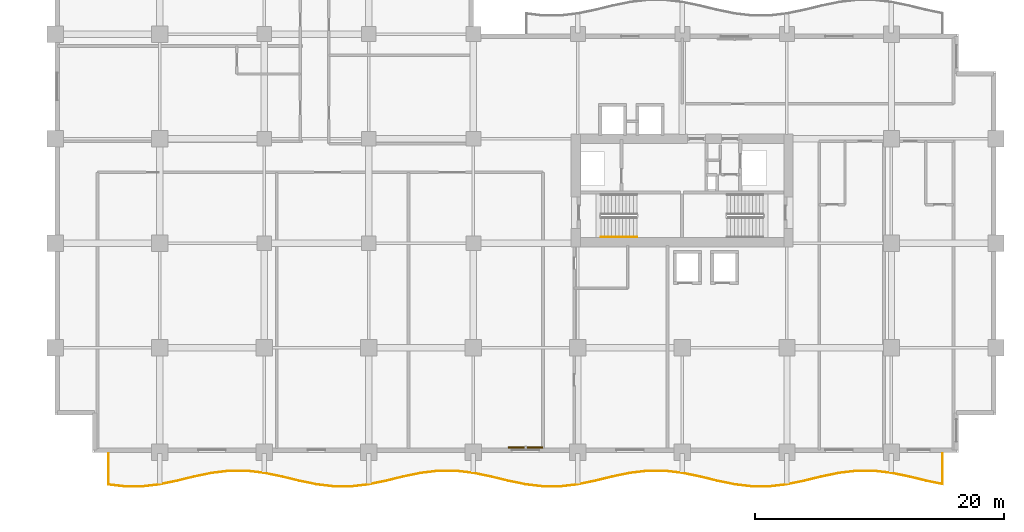
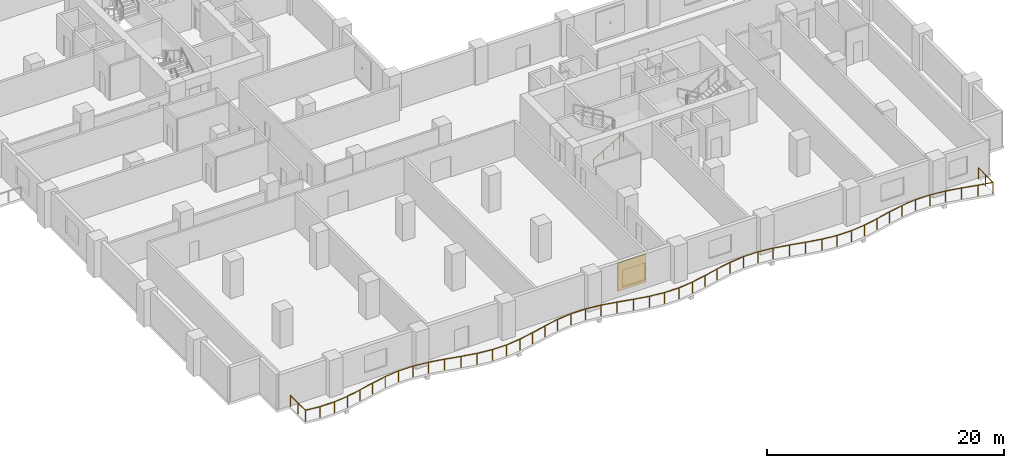
# One storey, part 15 of 18: 2 railings, 1 shading device.
"""IFC4 building model written with IfcOpenShell, lengths in metres."""

from ifc_helpers import new_model, si_unit, direction, frame, origin, origin_2d, place, context, subcontext, project, spatial, rectangle, circle, extrude, material, layer, layer_set, type_object, element, save


model = new_model("IFC4")

# Units and contexts
model_context = context("Model", 3, precision=1e-05, world=origin(), true_north=direction((0.0, 1.0)))
body_context = subcontext(model_context, "Body", "Model", "MODEL_VIEW")
ifc_project = project(units=[si_unit("LENGTHUNIT", "METRE"), si_unit("AREAUNIT", "SQUARE_METRE"), si_unit("VOLUMEUNIT", "CUBIC_METRE"), si_unit("PLANEANGLEUNIT", "RADIAN"), si_unit("MASSUNIT", "GRAM", prefix="KILO")], contexts=[model_context])

# Site, building, storey
site_placement = place(None, origin())
site = spatial("IfcSite", under=ifc_project, at=site_placement, CompositionType="ELEMENT")
building_placement = place(site_placement, origin())
building = spatial("IfcBuilding", under=site, at=building_placement, Name="Koriwani Terraces Tower", CompositionType="ELEMENT")
storey_placement = place(building_placement, frame((0.0, 0.0, 145.60009765625)))
storey = spatial("IfcBuildingStorey", under=building, at=storey_placement, Name="L35", CompositionType="ELEMENT", Elevation=145.60009765625)

# Railings
ifc_material_1 = material(Name="Steel ASTM A572 Grade 50", Category="steel")
railing_type_1 = type_object("IfcRailingType", Name="GUARD_BALUSTRADE_1150", PredefinedType="BALUSTRADE", material=ifc_material_1)
railing_1_placement = place(storey_placement, frame((4.280029296875, -0.080078125, 0.0)))
element("IfcRailing", 1, at=railing_1_placement, inside=storey, type_object=railing_type_1, Name="L35 Balcony Perimeter Safety Balustrade (S)", PredefinedType="BALUSTRADE", context=body_context, shape_type="SweptSolid", body=[
    extrude(circle(Radius=0.02392578125, at=origin_2d()), frame((0.0, 0.0, 1.1259765625), z_axis=(0.0, -1.0, 0.0), x_axis=(1.0, 0.0, 0.0)), (0.0, 0.0, 1.0), 2.508544921875),
    extrude(circle(Radius=0.02392578125, at=origin_2d()), frame((0.0, -2.508544921875, 1.1259765625), z_axis=(0.992857777247, -0.119303957015, 0.0), x_axis=(0.119303957015, 0.992857777247, 0.0)), (0.0, 0.0, 1.0), 1.334228515625),
    extrude(circle(Radius=0.02392578125, at=origin_2d()), frame((1.32470703125, -2.667724609375, 1.1259765625), z_axis=(1.0, 0.0, 0.0), x_axis=(0.0, 1.0, 0.0)), (0.0, 0.0, 1.0), 1.390380859375),
    extrude(circle(Radius=0.02392578125, at=origin_2d()), frame((2.715087890625, -2.667724609375, 1.1259765625), z_axis=(0.992861175138, 0.119275676073, 0.0), x_axis=(-0.119275676073, 0.992861175138, 0.0)), (0.0, 0.0, 1.0), 1.402099609375),
    extrude(circle(Radius=0.02392578125, at=origin_2d()), frame((4.107177734375, -2.50048828125, 1.1259765625), z_axis=(0.979001791719, 0.20385164167, 0.0), x_axis=(-0.20385164167, 0.979001791719, 0.0)), (0.0, 0.0, 1.0), 1.42529296875),
    extrude(circle(Radius=0.02392578125, at=origin_2d()), frame((5.50244140625, -2.2099609375, 1.1259765625), z_axis=(0.972325709638, 0.233629438166, 0.0), x_axis=(-0.233629438166, 0.972325709638, 0.0)), (0.0, 0.0, 1.0), 1.43994140625),
    extrude(circle(Radius=0.02392578125, at=origin_2d()), frame((6.902587890625, -1.87353515625, 1.1259765625), z_axis=(0.979066698056, 0.203539678581, 0.0), x_axis=(-0.203539678581, 0.979066698056, 0.0)), (0.0, 0.0, 1.0), 1.4345703125),
    extrude(circle(Radius=0.02392578125, at=origin_2d()), frame((8.30712890625, -1.58154296875, 1.1259765625), z_axis=(0.992857273618, 0.119308148191, 0.0), x_axis=(-0.119308148191, 0.992857273618, 0.0)), (0.0, 0.0, 1.0), 1.41796875),
    extrude(circle(Radius=0.02392578125, at=origin_2d()), frame((9.715087890625, -1.412353515625, 1.1259765625), z_axis=(1.0, 0.0, 0.0), x_axis=(0.0, 1.0, 0.0)), (0.0, 0.0, 1.0), 1.40966796875),
    extrude(circle(Radius=0.02392578125, at=origin_2d()), frame((11.124755859375, -1.412353515625, 1.1259765625), z_axis=(0.992859723616, -0.119287758056, 0.0), x_axis=(0.119287758056, 0.992859723616, 0.0)), (0.0, 0.0, 1.0), 1.418212890625),
    extrude(circle(Radius=0.02392578125, at=origin_2d()), frame((12.532958984375, -1.58154296875, 1.1259765625), z_axis=(0.979066698056, -0.203539678581, 0.0), x_axis=(0.203539678581, 0.979066698056, 0.0)), (0.0, 0.0, 1.0), 1.4345703125),
    extrude(circle(Radius=0.02392578125, at=origin_2d()), frame((13.9375, -1.87353515625, 1.1259765625), z_axis=(0.972316453264, -0.233667958249, 0.0), x_axis=(0.233667958249, 0.972316453264, 0.0)), (0.0, 0.0, 1.0), 1.439697265625),
    extrude(circle(Radius=0.02392578125, at=origin_2d()), frame((15.33740234375, -2.2099609375, 1.1259765625), z_axis=(0.979008908546, -0.203817459967, 0.0), x_axis=(0.203817459967, 0.979008908546, 0.0)), (0.0, 0.0, 1.0), 1.425537109375),
    extrude(circle(Radius=0.02392578125, at=origin_2d()), frame((16.73291015625, -2.50048828125, 1.1259765625), z_axis=(0.992858697273, -0.119296300234, 0.0), x_axis=(0.119296300234, 0.992858697273, 0.0)), (0.0, 0.0, 1.0), 1.40185546875),
    extrude(circle(Radius=0.02392578125, at=origin_2d()), frame((18.124755859375, -2.667724609375, 1.1259765625), z_axis=(1.0, 0.0, 0.0), x_axis=(0.0, 1.0, 0.0)), (0.0, 0.0, 1.0), 1.390380859375),
    extrude(circle(Radius=0.02392578125, at=origin_2d()), frame((19.51513671875, -2.667724609375, 1.1259765625), z_axis=(0.992858697273, 0.119296300234, 0.0), x_axis=(-0.119296300234, 0.992858697273, 0.0)), (0.0, 0.0, 1.0), 1.40185546875),
    extrude(circle(Radius=0.02392578125, at=origin_2d()), frame((20.906982421875, -2.50048828125, 1.1259765625), z_axis=(0.979008908546, 0.203817459967, 0.0), x_axis=(-0.203817459967, 0.979008908546, 0.0)), (0.0, 0.0, 1.0), 1.425537109375),
    extrude(circle(Radius=0.02392578125, at=origin_2d()), frame((22.302490234375, -2.2099609375, 1.1259765625), z_axis=(0.972316453264, 0.233667958249, 0.0), x_axis=(-0.233667958249, 0.972316453264, 0.0)), (0.0, 0.0, 1.0), 1.439697265625),
    extrude(circle(Radius=0.02392578125, at=origin_2d()), frame((23.702392578125, -1.87353515625, 1.1259765625), z_axis=(0.979073746732, 0.203505770089, 0.0), x_axis=(-0.203505770089, 0.979073746732, 0.0)), (0.0, 0.0, 1.0), 1.434814453125),
    extrude(circle(Radius=0.02392578125, at=origin_2d()), frame((25.107177734375, -1.58154296875, 1.1259765625), z_axis=(0.992857273618, 0.119308148191, 0.0), x_axis=(-0.119308148191, 0.992857273618, 0.0)), (0.0, 0.0, 1.0), 1.41796875),
    extrude(circle(Radius=0.02392578125, at=origin_2d()), frame((26.51513671875, -1.412353515625, 1.1259765625), z_axis=(1.0, 0.0, 0.0), x_axis=(0.0, 1.0, 0.0)), (0.0, 0.0, 1.0), 1.40966796875),
    extrude(circle(Radius=0.02392578125, at=origin_2d()), frame((27.9248046875, -1.412353515625, 1.1259765625), z_axis=(0.992857273618, -0.119308148191, 0.0), x_axis=(0.119308148191, 0.992857273618, 0.0)), (0.0, 0.0, 1.0), 1.41796875),
    extrude(circle(Radius=0.02392578125, at=origin_2d()), frame((29.332763671875, -1.58154296875, 1.1259765625), z_axis=(0.979073746732, -0.203505770089, 0.0), x_axis=(0.203505770089, 0.979073746732, 0.0)), (0.0, 0.0, 1.0), 1.434814453125),
    extrude(circle(Radius=0.02392578125, at=origin_2d()), frame((30.737548828125, -1.87353515625, 1.1259765625), z_axis=(0.972316453264, -0.233667958249, 0.0), x_axis=(0.233667958249, 0.972316453264, 0.0)), (0.0, 0.0, 1.0), 1.439697265625),
    extrude(circle(Radius=0.02392578125, at=origin_2d()), frame((32.137451171875, -2.2099609375, 1.1259765625), z_axis=(0.979008908546, -0.203817459967, 0.0), x_axis=(0.203817459967, 0.979008908546, 0.0)), (0.0, 0.0, 1.0), 1.425537109375),
    extrude(circle(Radius=0.02392578125, at=origin_2d()), frame((33.532958984375, -2.50048828125, 1.1259765625), z_axis=(0.992858697273, -0.119296300234, 0.0), x_axis=(0.119296300234, 0.992858697273, 0.0)), (0.0, 0.0, 1.0), 1.40185546875),
    extrude(circle(Radius=0.02392578125, at=origin_2d()), frame((34.9248046875, -2.667724609375, 1.1259765625), z_axis=(1.0, 0.0, 0.0), x_axis=(0.0, 1.0, 0.0)), (0.0, 0.0, 1.0), 1.390380859375),
    extrude(circle(Radius=0.02392578125, at=origin_2d()), frame((36.315185546875, -2.667724609375, 1.1259765625), z_axis=(0.992858697273, 0.119296300234, 0.0), x_axis=(-0.119296300234, 0.992858697273, 0.0)), (0.0, 0.0, 1.0), 1.40185546875),
    extrude(circle(Radius=0.02392578125, at=origin_2d()), frame((37.70703125, -2.50048828125, 1.1259765625), z_axis=(0.979008908546, 0.203817459967, 0.0), x_axis=(-0.203817459967, 0.979008908546, 0.0)), (0.0, 0.0, 1.0), 1.425537109375),
    extrude(circle(Radius=0.02392578125, at=origin_2d()), frame((39.1025390625, -2.2099609375, 1.1259765625), z_axis=(0.972316453264, 0.233667958249, 0.0), x_axis=(-0.233667958249, 0.972316453264, 0.0)), (0.0, 0.0, 1.0), 1.439697265625),
    extrude(circle(Radius=0.02392578125, at=origin_2d()), frame((40.50244140625, -1.87353515625, 1.1259765625), z_axis=(0.979066698056, 0.203539678581, 0.0), x_axis=(-0.203539678581, 0.979066698056, 0.0)), (0.0, 0.0, 1.0), 1.4345703125),
    extrude(circle(Radius=0.02392578125, at=origin_2d()), frame((41.906982421875, -1.58154296875, 1.1259765625), z_axis=(0.992859723616, 0.119287758056, 0.0), x_axis=(-0.119287758056, 0.992859723616, 0.0)), (0.0, 0.0, 1.0), 1.418212890625),
    extrude(circle(Radius=0.02392578125, at=origin_2d()), frame((43.315185546875, -1.412353515625, 1.1259765625), z_axis=(1.0, 0.0, 0.0), x_axis=(0.0, 1.0, 0.0)), (0.0, 0.0, 1.0), 1.40966796875),
    extrude(circle(Radius=0.02392578125, at=origin_2d()), frame((44.724853515625, -1.412353515625, 1.1259765625), z_axis=(0.992857273618, -0.119308148191, 0.0), x_axis=(0.119308148191, 0.992857273618, 0.0)), (0.0, 0.0, 1.0), 1.41796875),
    extrude(circle(Radius=0.02392578125, at=origin_2d()), frame((46.1328125, -1.58154296875, 1.1259765625), z_axis=(0.979066698056, -0.203539678581, 0.0), x_axis=(0.203539678581, 0.979066698056, 0.0)), (0.0, 0.0, 1.0), 1.4345703125),
    extrude(circle(Radius=0.02392578125, at=origin_2d()), frame((47.537353515625, -1.87353515625, 1.1259765625), z_axis=(0.972325709638, -0.233629438166, 0.0), x_axis=(0.233629438166, 0.972325709638, 0.0)), (0.0, 0.0, 1.0), 1.43994140625),
    extrude(circle(Radius=0.02392578125, at=origin_2d()), frame((48.9375, -2.2099609375, 1.1259765625), z_axis=(0.979001791719, -0.20385164167, 0.0), x_axis=(0.20385164167, 0.979001791719, 0.0)), (0.0, 0.0, 1.0), 1.42529296875),
    extrude(circle(Radius=0.02392578125, at=origin_2d()), frame((50.332763671875, -2.50048828125, 1.1259765625), z_axis=(0.992861175138, -0.119275676073, 0.0), x_axis=(0.119275676073, 0.992861175138, 0.0)), (0.0, 0.0, 1.0), 1.402099609375),
    extrude(circle(Radius=0.02392578125, at=origin_2d()), frame((51.724853515625, -2.667724609375, 1.1259765625), z_axis=(1.0, 0.0, 0.0), x_axis=(0.0, 1.0, 0.0)), (0.0, 0.0, 1.0), 1.390380859375),
    extrude(circle(Radius=0.02392578125, at=origin_2d()), frame((53.115234375, -2.667724609375, 1.1259765625), z_axis=(0.992858697273, 0.119296300234, 0.0), x_axis=(-0.119296300234, 0.992858697273, 0.0)), (0.0, 0.0, 1.0), 1.40185546875),
    extrude(circle(Radius=0.02392578125, at=origin_2d()), frame((54.507080078125, -2.50048828125, 1.1259765625), z_axis=(0.979008908546, 0.203817459967, 0.0), x_axis=(-0.203817459967, 0.979008908546, 0.0)), (0.0, 0.0, 1.0), 1.425537109375),
    extrude(circle(Radius=0.02392578125, at=origin_2d()), frame((55.902587890625, -2.2099609375, 1.1259765625), z_axis=(0.972316453264, 0.233667958249, 0.0), x_axis=(-0.233667958249, 0.972316453264, 0.0)), (0.0, 0.0, 1.0), 1.439697265625),
    extrude(circle(Radius=0.02392578125, at=origin_2d()), frame((57.302490234375, -1.87353515625, 1.1259765625), z_axis=(0.979066698056, 0.203539678581, 0.0), x_axis=(-0.203539678581, 0.979066698056, 0.0)), (0.0, 0.0, 1.0), 1.4345703125),
    extrude(circle(Radius=0.02392578125, at=origin_2d()), frame((58.70703125, -1.58154296875, 1.1259765625), z_axis=(0.992859723616, 0.119287758056, 0.0), x_axis=(-0.119287758056, 0.992859723616, 0.0)), (0.0, 0.0, 1.0), 1.418212890625),
    extrude(circle(Radius=0.02392578125, at=origin_2d()), frame((60.115234375, -1.412353515625, 1.1259765625), z_axis=(1.0, 0.0, 0.0), x_axis=(0.0, 1.0, 0.0)), (0.0, 0.0, 1.0), 1.409423828125),
    extrude(circle(Radius=0.02392578125, at=origin_2d()), frame((61.524658203125, -1.412353515625, 1.1259765625), z_axis=(0.992859723616, -0.119287758056, 0.0), x_axis=(0.119287758056, 0.992859723616, 0.0)), (0.0, 0.0, 1.0), 1.418212890625),
    extrude(circle(Radius=0.02392578125, at=origin_2d()), frame((62.932861328125, -1.58154296875, 1.1259765625), z_axis=(0.979066698056, -0.203539678581, 0.0), x_axis=(0.203539678581, 0.979066698056, 0.0)), (0.0, 0.0, 1.0), 1.4345703125),
    extrude(circle(Radius=0.02392578125, at=origin_2d()), frame((64.33740234375, -1.87353515625, 1.1259765625), z_axis=(0.972325709638, -0.233629438166, 0.0), x_axis=(0.233629438166, 0.972325709638, 0.0)), (0.0, 0.0, 1.0), 1.43994140625),
    extrude(circle(Radius=0.02392578125, at=origin_2d()), frame((65.737548828125, -2.2099609375, 1.1259765625), z_axis=(0.978997209688, -0.203873645729, 0.0), x_axis=(0.203873645729, 0.978997209688, 0.0)), (0.0, 0.0, 1.0), 1.330322265625),
    extrude(circle(Radius=0.02392578125, at=origin_2d()), frame((67.0400390625, -2.481201171875, 1.1259765625), z_axis=(0.0, 1.0, 0.0), x_axis=(-1.0, 0.0, 0.0)), (0.0, 0.0, 1.0), 2.481201171875),
    extrude(circle(Radius=0.02099609375, at=origin_2d()), origin(), (0.0, 0.0, 1.0), 1.101806640625),
    extrude(circle(Radius=0.02099609375, at=origin_2d()), frame((0.0, -1.25439453125, 0.0)), (0.0, 0.0, 1.0), 1.101806640625),
    extrude(circle(Radius=0.02099609375, at=origin_2d()), frame((0.0, -2.508544921875, 0.0)), (0.0, 0.0, 1.0), 1.101806640625),
    extrude(circle(Radius=0.02099609375, at=origin_2d()), frame((1.32470703125, -2.667724609375, 0.0)), (0.0, 0.0, 1.0), 1.101806640625),
    extrude(circle(Radius=0.02099609375, at=origin_2d()), frame((2.715087890625, -2.667724609375, 0.0)), (0.0, 0.0, 1.0), 1.101806640625),
    extrude(circle(Radius=0.02099609375, at=origin_2d()), frame((4.107177734375, -2.50048828125, 0.0)), (0.0, 0.0, 1.0), 1.101806640625),
    extrude(circle(Radius=0.02099609375, at=origin_2d()), frame((5.50244140625, -2.2099609375, 0.0)), (0.0, 0.0, 1.0), 1.101806640625),
    extrude(circle(Radius=0.02099609375, at=origin_2d()), frame((6.902587890625, -1.87353515625, 0.0)), (0.0, 0.0, 1.0), 1.101806640625),
    extrude(circle(Radius=0.02099609375, at=origin_2d()), frame((8.30712890625, -1.58154296875, 0.0)), (0.0, 0.0, 1.0), 1.101806640625),
    extrude(circle(Radius=0.02099609375, at=origin_2d()), frame((9.715087890625, -1.412353515625, 0.0)), (0.0, 0.0, 1.0), 1.101806640625),
    extrude(circle(Radius=0.02099609375, at=origin_2d()), frame((11.124755859375, -1.412353515625, 0.0)), (0.0, 0.0, 1.0), 1.101806640625),
    extrude(circle(Radius=0.02099609375, at=origin_2d()), frame((12.532958984375, -1.58154296875, 0.0)), (0.0, 0.0, 1.0), 1.101806640625),
    extrude(circle(Radius=0.02099609375, at=origin_2d()), frame((13.9375, -1.87353515625, 0.0)), (0.0, 0.0, 1.0), 1.101806640625),
    extrude(circle(Radius=0.02099609375, at=origin_2d()), frame((15.33740234375, -2.2099609375, 0.0)), (0.0, 0.0, 1.0), 1.101806640625),
    extrude(circle(Radius=0.02099609375, at=origin_2d()), frame((16.73291015625, -2.50048828125, 0.0)), (0.0, 0.0, 1.0), 1.101806640625),
    extrude(circle(Radius=0.02099609375, at=origin_2d()), frame((18.124755859375, -2.667724609375, 0.0)), (0.0, 0.0, 1.0), 1.101806640625),
    extrude(circle(Radius=0.02099609375, at=origin_2d()), frame((19.51513671875, -2.667724609375, 0.0)), (0.0, 0.0, 1.0), 1.101806640625),
    extrude(circle(Radius=0.02099609375, at=origin_2d()), frame((20.906982421875, -2.50048828125, 0.0)), (0.0, 0.0, 1.0), 1.101806640625),
    extrude(circle(Radius=0.02099609375, at=origin_2d()), frame((22.302490234375, -2.2099609375, 0.0)), (0.0, 0.0, 1.0), 1.101806640625),
    extrude(circle(Radius=0.02099609375, at=origin_2d()), frame((23.702392578125, -1.87353515625, 0.0)), (0.0, 0.0, 1.0), 1.101806640625),
    extrude(circle(Radius=0.02099609375, at=origin_2d()), frame((25.107177734375, -1.58154296875, 0.0)), (0.0, 0.0, 1.0), 1.101806640625),
    extrude(circle(Radius=0.02099609375, at=origin_2d()), frame((26.51513671875, -1.412353515625, 0.0)), (0.0, 0.0, 1.0), 1.101806640625),
    extrude(circle(Radius=0.02099609375, at=origin_2d()), frame((27.9248046875, -1.412353515625, 0.0)), (0.0, 0.0, 1.0), 1.101806640625),
    extrude(circle(Radius=0.02099609375, at=origin_2d()), frame((29.332763671875, -1.58154296875, 0.0)), (0.0, 0.0, 1.0), 1.101806640625),
    extrude(circle(Radius=0.02099609375, at=origin_2d()), frame((30.737548828125, -1.87353515625, 0.0)), (0.0, 0.0, 1.0), 1.101806640625),
    extrude(circle(Radius=0.02099609375, at=origin_2d()), frame((32.137451171875, -2.2099609375, 0.0)), (0.0, 0.0, 1.0), 1.101806640625),
    extrude(circle(Radius=0.02099609375, at=origin_2d()), frame((33.532958984375, -2.50048828125, 0.0)), (0.0, 0.0, 1.0), 1.101806640625),
    extrude(circle(Radius=0.02099609375, at=origin_2d()), frame((34.9248046875, -2.667724609375, 0.0)), (0.0, 0.0, 1.0), 1.101806640625),
    extrude(circle(Radius=0.02099609375, at=origin_2d()), frame((36.315185546875, -2.667724609375, 0.0)), (0.0, 0.0, 1.0), 1.101806640625),
    extrude(circle(Radius=0.02099609375, at=origin_2d()), frame((37.70703125, -2.50048828125, 0.0)), (0.0, 0.0, 1.0), 1.101806640625),
    extrude(circle(Radius=0.02099609375, at=origin_2d()), frame((39.1025390625, -2.2099609375, 0.0)), (0.0, 0.0, 1.0), 1.101806640625),
    extrude(circle(Radius=0.02099609375, at=origin_2d()), frame((40.50244140625, -1.87353515625, 0.0)), (0.0, 0.0, 1.0), 1.101806640625),
    extrude(circle(Radius=0.02099609375, at=origin_2d()), frame((41.906982421875, -1.58154296875, 0.0)), (0.0, 0.0, 1.0), 1.101806640625),
    extrude(circle(Radius=0.02099609375, at=origin_2d()), frame((43.315185546875, -1.412353515625, 0.0)), (0.0, 0.0, 1.0), 1.101806640625),
    extrude(circle(Radius=0.02099609375, at=origin_2d()), frame((44.724853515625, -1.412353515625, 0.0)), (0.0, 0.0, 1.0), 1.101806640625),
    extrude(circle(Radius=0.02099609375, at=origin_2d()), frame((46.1328125, -1.58154296875, 0.0)), (0.0, 0.0, 1.0), 1.101806640625),
    extrude(circle(Radius=0.02099609375, at=origin_2d()), frame((47.537353515625, -1.87353515625, 0.0)), (0.0, 0.0, 1.0), 1.101806640625),
    extrude(circle(Radius=0.02099609375, at=origin_2d()), frame((48.9375, -2.2099609375, 0.0)), (0.0, 0.0, 1.0), 1.101806640625),
    extrude(circle(Radius=0.02099609375, at=origin_2d()), frame((50.332763671875, -2.50048828125, 0.0)), (0.0, 0.0, 1.0), 1.101806640625),
    extrude(circle(Radius=0.02099609375, at=origin_2d()), frame((51.724853515625, -2.667724609375, 0.0)), (0.0, 0.0, 1.0), 1.101806640625),
    extrude(circle(Radius=0.02099609375, at=origin_2d()), frame((53.115234375, -2.667724609375, 0.0)), (0.0, 0.0, 1.0), 1.101806640625),
    extrude(circle(Radius=0.02099609375, at=origin_2d()), frame((54.507080078125, -2.50048828125, 0.0)), (0.0, 0.0, 1.0), 1.101806640625),
    extrude(circle(Radius=0.02099609375, at=origin_2d()), frame((55.902587890625, -2.2099609375, 0.0)), (0.0, 0.0, 1.0), 1.101806640625),
    extrude(circle(Radius=0.02099609375, at=origin_2d()), frame((57.302490234375, -1.87353515625, 0.0)), (0.0, 0.0, 1.0), 1.101806640625),
    extrude(circle(Radius=0.02099609375, at=origin_2d()), frame((58.70703125, -1.58154296875, 0.0)), (0.0, 0.0, 1.0), 1.101806640625),
    extrude(circle(Radius=0.02099609375, at=origin_2d()), frame((60.115234375, -1.412353515625, 0.0)), (0.0, 0.0, 1.0), 1.101806640625),
    extrude(circle(Radius=0.02099609375, at=origin_2d()), frame((61.524658203125, -1.412353515625, 0.0)), (0.0, 0.0, 1.0), 1.101806640625),
    extrude(circle(Radius=0.02099609375, at=origin_2d()), frame((62.932861328125, -1.58154296875, 0.0)), (0.0, 0.0, 1.0), 1.101806640625),
    extrude(circle(Radius=0.02099609375, at=origin_2d()), frame((64.33740234375, -1.87353515625, 0.0)), (0.0, 0.0, 1.0), 1.101806640625),
    extrude(circle(Radius=0.02099609375, at=origin_2d()), frame((65.737548828125, -2.2099609375, 0.0)), (0.0, 0.0, 1.0), 1.101806640625),
    extrude(circle(Radius=0.02099609375, at=origin_2d()), frame((67.0400390625, -2.481201171875, 0.0)), (0.0, 0.0, 1.0), 1.101806640625),
    extrude(circle(Radius=0.02099609375, at=origin_2d()), frame((67.0400390625, -1.24072265625, 0.0)), (0.0, 0.0, 1.0), 1.101806640625),
    extrude(circle(Radius=0.02099609375, at=origin_2d()), frame((67.0400390625, 0.0, 0.0)), (0.0, 0.0, 1.0), 1.101806640625),
])
railing_type_2 = type_object("IfcRailingType", Name="HANDRAIL_STAIR_920", PredefinedType="HANDRAIL", material=ifc_material_1)
railing_2_placement = place(storey_placement, frame((43.85009765625, 17.300048828125, 0.172607421875)))
element("IfcRailing", 2, at=railing_2_placement, inside=storey, type_object=railing_type_2, Name="L35 ST-E1 stair handrail 1", PredefinedType="HANDRAIL", context=body_context, shape_type="SweptSolid", body=[
    extrude(circle(Radius=0.02392578125, at=origin_2d()), frame((0.0, 0.0, 0.8759765625), z_axis=(0.859141464434, 0.0, 0.511738159696), x_axis=(0.0, 1.0, 0.0)), (0.0, 0.0, 1.0), 3.375244140625),
    extrude(circle(Radius=0.02099609375, at=origin_2d()), origin(), (0.0, 0.0, 1.0), 0.851806640625),
    extrude(circle(Radius=0.02099609375, at=origin_2d()), frame((0.966552734375, 0.0, 0.57568359375)), (0.0, 0.0, 1.0), 0.851806640625),
    extrude(circle(Radius=0.02099609375, at=origin_2d()), frame((1.933349609375, 0.0, 1.151611328125)), (0.0, 0.0, 1.0), 0.851806640625),
    extrude(circle(Radius=0.02099609375, at=origin_2d()), frame((2.89990234375, 0.0, 1.727294921875)), (0.0, 0.0, 1.0), 0.851806640625),
])

# Shading device
ifc_material_2 = material(Name="Extruded Terracotta Clay", Category="masonry")
ifc_layer = layer(ifc_material_2, 0.1201171875, Name="Extruded Terracotta Clay")
ifc_layer_set = layer_set([ifc_layer], Name="Extruded Terracotta Clay")
shading_device_type = type_object("IfcShadingDeviceType", Name="TERRACOTTA_BAGUETTE_SCREEN_2800", PredefinedType="USERDEFINED", material=ifc_layer_set)
shading_device_placement = place(storey_placement, frame((37.800048828125, 0.405029296875, 0.324951171875), z_axis=(0.0, 0.0, 1.0), x_axis=(-1.0, 0.0, 0.0)))
element("IfcShadingDevice", 3, at=shading_device_placement, inside=storey, type_object=shading_device_type, Name="L35 Extruded Terracotta Baguette Screen (S-12)", ObjectType="BAGUETTE", PredefinedType="USERDEFINED", context=body_context, shape_type="SweptSolid", body=[
    extrude(rectangle(XDim=2.760009765625, YDim=0.1201171875, at=origin_2d()), origin(), (0.0, 0.0, 1.0), 2.89990234375),
])

save(model, "model.ifc")
